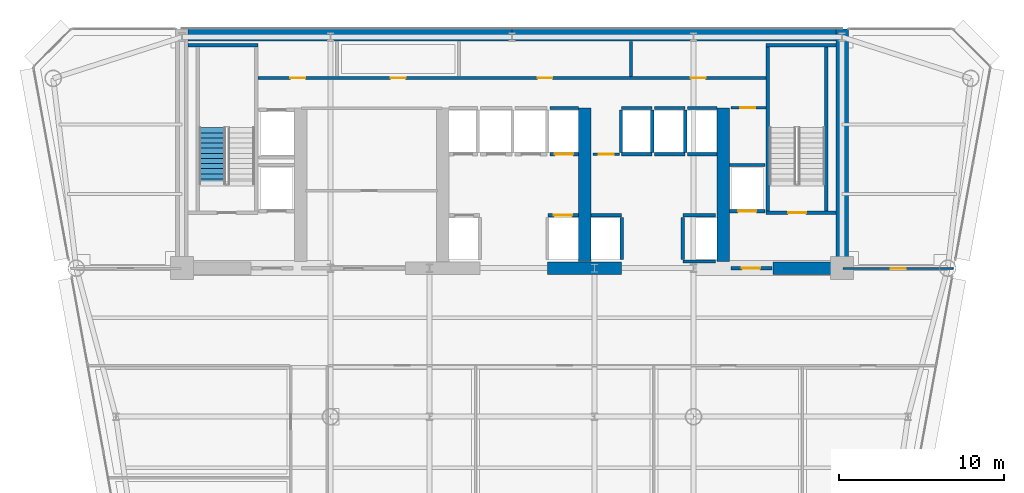
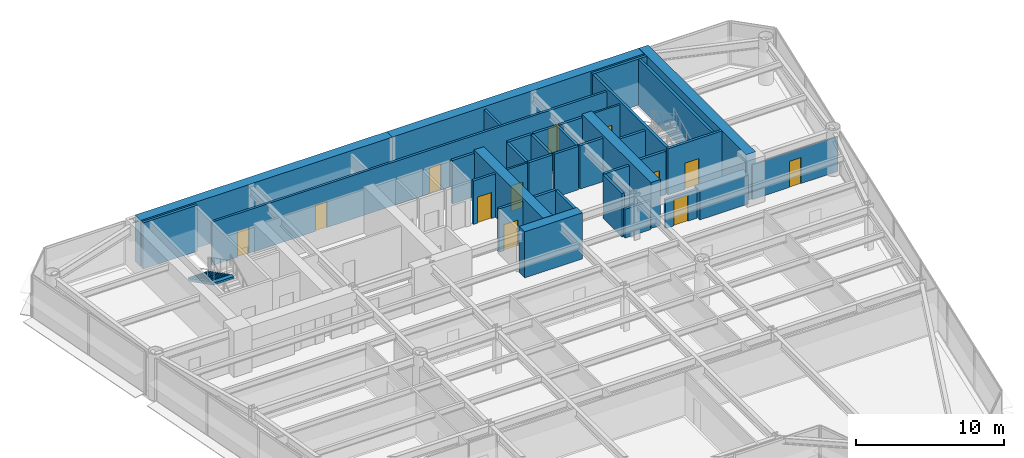
# One storey, part 9 of 14: 37 walls, 12 doors, 1 stair flight, 12 openings, 1 element without a shape of its own.
"""IFC4 building model written with IfcOpenShell, lengths in metres."""

from ifc_helpers import new_model, si_unit, direction, frame, frame_2d, origin, place, context, subcontext, project, spatial, polyline, rectangle, outline, extrude, source, transform, mapped, material, layer, layer_set, type_object, element, fill, aggregate, save


model = new_model("IFC4")

# Units and contexts
model_context = context("Model", 3, precision=1e-05, world=origin(), true_north=direction((0.0, 1.0)))
body_context = subcontext(model_context, "Body", "Model", "MODEL_VIEW")
ifc_project = project(units=[si_unit("LENGTHUNIT", "METRE"), si_unit("AREAUNIT", "SQUARE_METRE"), si_unit("VOLUMEUNIT", "CUBIC_METRE"), si_unit("PLANEANGLEUNIT", "RADIAN"), si_unit("MASSUNIT", "GRAM", prefix="KILO")], contexts=[model_context])

# Site, building, storey
site_placement = place(None, origin())
site = spatial("IfcSite", under=ifc_project, at=site_placement, CompositionType="ELEMENT")
building_placement = place(site_placement, origin())
building = spatial("IfcBuilding", under=site, at=building_placement, Name="Vaeldorn Concourse Tower", CompositionType="ELEMENT")
storey_placement = place(building_placement, frame((0.0, 0.0, 114.800048828125)))
storey = spatial("IfcBuildingStorey", under=building, at=storey_placement, Name="L29", CompositionType="ELEMENT", Elevation=114.800048828125)

# Walls
ifc_material_1 = material(Name="Concrete C60/75", Category="concrete")
ifc_layer_1 = layer(ifc_material_1, 0.75)
ifc_layer_set_1 = layer_set([ifc_layer_1], Name="Concrete C60/75")
wall_type_1 = type_object("IfcWallType", Name="WL-CORE-750", PredefinedType="SHEAR", material=ifc_layer_set_1)
for number, where, z_axis, x_axis, name in (
    (1, (14.37890625, 50.625, 0.0), (0.0, 0.0, 1.0), (1.0, 0.0, 0.0), "Rear Core Shear Wall L29 N1"),
    (2, (34.001953125, 50.625, 0.0), (0.0, 0.0, 1.0), (1.0, 0.0, 0.0), "Rear Core Shear Wall L29 N2"),
):
    element("IfcWall", number, at=place(storey_placement, frame(where, z_axis=z_axis, x_axis=x_axis)), inside=storey, type_object=wall_type_1, Name=name, PredefinedType="SHEAR", context=body_context, shape_type="SweptSolid", body=[
        extrude(rectangle(XDim=19.619140625, YDim=0.75, at=frame_2d((9.8095703125, 0.0))), origin(), (0.0, 0.0, 1.0), 3.800048828125),
    ])
wall_1_placement = place(storey_placement, frame((54.0, 36.5, 0.0), z_axis=(0.0, 0.0, 1.0), x_axis=(0.0, 1.0, 0.0)))
element("IfcWall", 3, at=wall_1_placement, inside=storey, type_object=wall_type_1, Name="Rear Core Shear Wall L29 E1", PredefinedType="SHEAR", context=body_context, shape_type="SweptSolid", body=[
    extrude(rectangle(XDim=14.5, YDim=0.75, at=frame_2d((7.25, 0.0))), origin(), (0.0, 0.0, 1.0), 3.800048828125),
])
wall_2_placement = place(storey_placement, frame((36.14990234375, 36.5, 0.0), z_axis=(0.0, 0.0, 1.0), x_axis=(1.0, 0.0, 0.0)))
element("IfcWall", 4, at=wall_2_placement, inside=storey, type_object=wall_type_1, Name="Rear Core Shear Wall L29 S3", PredefinedType="SHEAR", context=body_context, shape_type="SweptSolid", body=[
    extrude(rectangle(XDim=4.5, YDim=0.75, at=frame_2d((2.25, 0.0))), origin(), (0.0, 0.0, 1.0), 3.800048828125),
])
wall_3_placement = place(storey_placement, frame((49.800048828125, 36.5, 0.0), z_axis=(0.0, 0.0, 1.0), x_axis=(1.0, 0.0, 0.0)))
element("IfcWall", 5, at=wall_3_placement, inside=storey, type_object=wall_type_1, Name="Rear Core Shear Wall L29 S4", PredefinedType="SHEAR", context=body_context, shape_type="SweptSolid", body=[
    extrude(rectangle(XDim=3.804931640625, YDim=0.75, at=frame_2d((1.90234375, 0.0))), origin(), (0.0, 0.0, 1.0), 2.3798828125),
])
for number, where, z_axis, x_axis, name in (
    (6, (38.39990234375, 36.89501953125, 0.0), (0.0, 0.0, 1.0), (0.0, 1.0, 0.0), "Rear Core Shear Wall L29 M3"),
    (7, (46.800048828125, 36.89501953125, 0.0), (0.0, 0.0, 1.0), (0.0, 1.0, 0.0), "Rear Core Shear Wall L29 M4"),
):
    element("IfcWall", number, at=place(storey_placement, frame(where, z_axis=z_axis, x_axis=x_axis)), inside=storey, type_object=wall_type_1, Name=name, PredefinedType="SHEAR", context=body_context, shape_type="SweptSolid", body=[
        extrude(rectangle(XDim=9.304931640625, YDim=0.75, at=frame_2d((4.65234375, 0.0))), origin(), (0.0, 0.0, 1.0), 3.800048828125),
    ])

# Wall, opening, door
ifc_material_2 = material(Name="Gypsum Board Partition", Category="gypsum")
ifc_layer_2 = layer(ifc_material_2, 0.1201171875)
ifc_layer_set_2 = layer_set([ifc_layer_2], Name="Gypsum Board Partition")
wall_type_2 = type_object("IfcWallType", Name="WL-PART-120", PredefinedType="PARTITIONING", material=ifc_layer_set_2)
wall_4_placement = place(storey_placement, frame((54.06005859375, 36.47998046875, 0.0), z_axis=(0.0, 0.0, 1.0), x_axis=(1.0, 0.0, 0.0)))
wall_4 = element("IfcWall", 8, at=wall_4_placement, inside=storey, type_object=wall_type_2, Name="Interior Wall PW-L29-NES", PredefinedType="PARTITIONING", context=body_context, shape_type="SweptSolid", body=[
    extrude(rectangle(XDim=6.669677734375, YDim=0.1201171875, at=frame_2d((3.3349609375, 0.0))), origin(), (0.0, 0.0, 1.0), 2.869873046875),
])
opening_1_placement = place(wall_4_placement, frame((2.885009765625, 0.0, 0.0)))
opening_1 = element("IfcOpeningElement", 9, at=opening_1_placement, cuts=wall_4, Name="Opening D-03", PredefinedType="OPENING", context=body_context, shape_type="SweptSolid", body=[
    extrude(rectangle(XDim=0.89990234375, YDim=2.14990234375, at=frame_2d((0.449951171875, 1.074951171875))), frame((0.0, 0.070068359375, 0.0), z_axis=(0.0, -1.0, 0.0), x_axis=(1.0, 0.0, 0.0)), (0.0, 0.0, 1.0), 0.14013671875),
])
ifc_material_3 = material(Name="Acoustic Bronze-Framed Glass Door", Category="glass")
door_type_1 = type_object("IfcDoorType", Name="DR-INT-900", OperationType="NOTDEFINED", PredefinedType="DOOR", material=ifc_material_3)
shared_shape_1 = source(origin(), body_context, "Body", "SweptSolid", [
    extrude(rectangle(XDim=0.89990234375, YDim=2.14990234375, at=frame_2d((0.449951171875, 1.074951171875))), frame((0.0, 0.02490234375, 0.0), z_axis=(0.0, -1.0, 0.0), x_axis=(1.0, 0.0, 0.0)), (0.0, 0.0, 1.0), 0.050048828125),
])
door_1_placement = place(opening_1_placement, origin())
door_1 = element("IfcDoor", 10, at=door_1_placement, inside=storey, type_object=door_type_1, Name="Interior Door DR-L29-NEC", OperationType="SINGLE_SWING_RIGHT", OverallHeight=2.14990234375, OverallWidth=0.89990234375, PredefinedType="DOOR", context=body_context, shape_type="MappedRepresentation", body=[
    mapped(shared_shape_1, transform((0.0, 0.0, 0.0), scale=1.0)),
])
fill(opening_1, door_1)

ifc_layer_3 = layer(ifc_material_2, 0.14990234375)
ifc_layer_set_3 = layer_set([ifc_layer_3], Name="Gypsum Board Partition")
wall_type_3 = type_object("IfcWallType", Name="WL-PART-150", PredefinedType="PARTITIONING", material=ifc_layer_set_3)
wall_5_placement = place(storey_placement, frame((47.280029296875, 46.219970703125, 0.0), z_axis=(0.0, 0.0, 1.0), x_axis=(1.0, 0.0, 0.0)))
wall_5 = element("IfcWall", 11, at=wall_5_placement, inside=storey, type_object=wall_type_3, Name="Interior Wall CW-L29-CRSE-N", PredefinedType="PARTITIONING", context=body_context, shape_type="SweptSolid", body=[
    extrude(rectangle(XDim=2.099853515625, YDim=0.14990234375, at=frame_2d((1.0498046875, 0.0))), origin(), (0.0, 0.0, 1.0), 3.579833984375),
])
opening_2_placement = place(wall_5_placement, frame((0.550048828125, 0.0, 0.0)))
opening_2 = element("IfcOpeningElement", 12, at=opening_2_placement, cuts=wall_5, Name="Opening D-02", PredefinedType="OPENING", context=body_context, shape_type="SweptSolid", body=[
    extrude(rectangle(XDim=0.89990234375, YDim=2.10009765625, at=frame_2d((0.449951171875, 1.050048828125))), frame((0.0, 0.0849609375, 0.0), z_axis=(0.0, -1.0, 0.0), x_axis=(1.0, 0.0, 0.0)), (0.0, 0.0, 1.0), 0.169921875),
])
ifc_material_4 = material(Name="Fire-Rated Timber Leaf", Category="wood")
door_type_2 = type_object("IfcDoorType", Name="DR-FD30-900", OperationType="NOTDEFINED", PredefinedType="DOOR", material=ifc_material_4)
shared_shape_2 = source(origin(), body_context, "Body", "SweptSolid", [
    extrude(rectangle(XDim=0.89990234375, YDim=2.10009765625, at=frame_2d((0.449951171875, 1.050048828125))), frame((0.0, 0.02490234375, 0.0), z_axis=(0.0, -1.0, 0.0), x_axis=(1.0, 0.0, 0.0)), (0.0, 0.0, 1.0), 0.050048828125),
])
door_2_placement = place(opening_2_placement, origin())
door_2 = element("IfcDoor", 13, at=door_2_placement, inside=storey, type_object=door_type_2, Name="Interior Door DR-L29-CRSE", OperationType="SINGLE_SWING_RIGHT", OverallHeight=2.10009765625, OverallWidth=0.89990234375, PredefinedType="DOOR", context=body_context, shape_type="MappedRepresentation", body=[
    mapped(shared_shape_2, transform((0.0, 0.0, 0.0), scale=1.0)),
])
fill(opening_2, door_2)

wall_6_placement = place(storey_placement, frame((38.919921875, 43.39990234375, 0.0), z_axis=(0.0, 0.0, 1.0), x_axis=(1.0, 0.0, 0.0)))
wall_6 = element("IfcWall", 14, at=wall_6_placement, inside=storey, type_object=wall_type_3, Name="Interior Wall CW-L29-CCLINK", PredefinedType="PARTITIONING", context=body_context, shape_type="SweptSolid", body=[
    extrude(rectangle(XDim=1.60009765625, YDim=0.14990234375, at=frame_2d((0.800048828125, 0.0))), origin(), (0.0, 0.0, 1.0), 3.579833984375),
])
opening_3_placement = place(wall_6_placement, frame((0.35009765625, 0.0, 0.0)))
opening_3 = element("IfcOpeningElement", 15, at=opening_3_placement, cuts=wall_6, Name="Opening D-02", PredefinedType="OPENING", context=body_context, shape_type="SweptSolid", body=[
    extrude(rectangle(XDim=0.89990234375, YDim=2.10009765625, at=frame_2d((0.449951171875, 1.050048828125))), frame((0.0, 0.0849609375, 0.0), z_axis=(0.0, -1.0, 0.0), x_axis=(1.0, 0.0, 0.0)), (0.0, 0.0, 1.0), 0.169921875),
])
door_3_placement = place(opening_3_placement, origin())
door_3 = element("IfcDoor", 16, at=door_3_placement, inside=storey, type_object=door_type_2, Name="Interior Door DR-L29-CCLINK", OperationType="SINGLE_SWING_LEFT", OverallHeight=2.10009765625, OverallWidth=0.89990234375, PredefinedType="DOOR", context=body_context, shape_type="MappedRepresentation", body=[
    mapped(shared_shape_2, transform((0.0, 0.0, 0.0), scale=1.0)),
])
fill(opening_3, door_3)

# Wall, openings, doors
ifc_layer_4 = layer(ifc_material_2, 0.179931640625)
ifc_layer_set_4 = layer_set([ifc_layer_4], Name="Gypsum Board Partition")
wall_type_4 = type_object("IfcWallType", Name="WL-PLUMB-180", PredefinedType="PLUMBINGWALL", material=ifc_layer_set_4)
wall_7_placement = place(storey_placement, frame((18.6201171875, 48.02001953125, 0.0), z_axis=(0.0, 0.0, 1.0), x_axis=(1.0, 0.0, 0.0)))
wall_7 = element("IfcWall", 17, at=wall_7_placement, inside=storey, type_object=wall_type_4, Name="Interior Wall CW-L29-NS0", PredefinedType="PLUMBINGWALL", context=body_context, shape_type="SweptSolid", body=[
    extrude(rectangle(XDim=30.759765625, YDim=0.179931640625, at=frame_2d((15.3798828125, 0.0))), origin(), (0.0, 0.0, 1.0), 3.579833984375),
])
opening_4_placement = place(wall_7_placement, frame((1.955078125, 0.0, 0.0)))
opening_4 = element("IfcOpeningElement", 18, at=opening_4_placement, cuts=wall_7, Name="Opening D-03", PredefinedType="OPENING", context=body_context, shape_type="SweptSolid", body=[
    extrude(rectangle(XDim=0.89990234375, YDim=2.14990234375, at=frame_2d((0.449951171875, 1.074951171875))), frame((0.0, 0.10009765625, 0.0), z_axis=(0.0, -1.0, 0.0), x_axis=(1.0, 0.0, 0.0)), (0.0, 0.0, 1.0), 0.199951171875),
])
opening_5_placement = place(wall_7_placement, frame((8.030029296875, 0.0, 0.0)))
opening_5 = element("IfcOpeningElement", 19, at=opening_5_placement, cuts=wall_7, Name="Opening D-03", PredefinedType="OPENING", context=body_context, shape_type="SweptSolid", body=[
    extrude(rectangle(XDim=0.89990234375, YDim=2.14990234375, at=frame_2d((0.449951171875, 1.074951171875))), frame((0.0, 0.10009765625, 0.0), z_axis=(0.0, -1.0, 0.0), x_axis=(1.0, 0.0, 0.0)), (0.0, 0.0, 1.0), 0.199951171875),
])
opening_6_placement = place(wall_7_placement, frame((16.929931640625, 0.0, 0.0)))
opening_6 = element("IfcOpeningElement", 20, at=opening_6_placement, cuts=wall_7, Name="Opening D-03", PredefinedType="OPENING", context=body_context, shape_type="SweptSolid", body=[
    extrude(rectangle(XDim=0.89990234375, YDim=2.14990234375, at=frame_2d((0.449951171875, 1.074951171875))), frame((0.0, 0.10009765625, 0.0), z_axis=(0.0, -1.0, 0.0), x_axis=(1.0, 0.0, 0.0)), (0.0, 0.0, 1.0), 0.199951171875),
])
opening_7_placement = place(wall_7_placement, frame((26.205078125, 0.0, 0.0)))
opening_7 = element("IfcOpeningElement", 21, at=opening_7_placement, cuts=wall_7, Name="Opening D-03", PredefinedType="OPENING", context=body_context, shape_type="SweptSolid", body=[
    extrude(rectangle(XDim=0.89990234375, YDim=2.14990234375, at=frame_2d((0.449951171875, 1.074951171875))), frame((0.0, 0.10009765625, 0.0), z_axis=(0.0, -1.0, 0.0), x_axis=(1.0, 0.0, 0.0)), (0.0, 0.0, 1.0), 0.199951171875),
])
door_4_placement = place(opening_4_placement, origin())
door_4 = element("IfcDoor", 22, at=door_4_placement, inside=storey, type_object=door_type_1, Name="Interior Door DR-L29-CS1", OperationType="SINGLE_SWING_LEFT", OverallHeight=2.14990234375, OverallWidth=0.89990234375, PredefinedType="DOOR", context=body_context, shape_type="MappedRepresentation", body=[
    mapped(shared_shape_1, transform((0.0, 0.0, 0.0), scale=1.0)),
])
fill(opening_4, door_4)
door_5_placement = place(opening_5_placement, origin())
door_5 = element("IfcDoor", 23, at=door_5_placement, inside=storey, type_object=door_type_1, Name="Interior Door DR-L29-CS2", OperationType="SINGLE_SWING_RIGHT", OverallHeight=2.14990234375, OverallWidth=0.89990234375, PredefinedType="DOOR", context=body_context, shape_type="MappedRepresentation", body=[
    mapped(shared_shape_1, transform((0.0, 0.0, 0.0), scale=1.0)),
])
fill(opening_5, door_5)
door_6_placement = place(opening_6_placement, origin())
door_6 = element("IfcDoor", 24, at=door_6_placement, inside=storey, type_object=door_type_1, Name="Interior Door DR-L29-CS3", OperationType="SINGLE_SWING_LEFT", OverallHeight=2.14990234375, OverallWidth=0.89990234375, PredefinedType="DOOR", context=body_context, shape_type="MappedRepresentation", body=[
    mapped(shared_shape_1, transform((0.0, 0.0, 0.0), scale=1.0)),
])
fill(opening_6, door_6)
door_7_placement = place(opening_7_placement, origin())
door_7 = element("IfcDoor", 25, at=door_7_placement, inside=storey, type_object=door_type_1, Name="Interior Door DR-L29-CS4", OperationType="SINGLE_SWING_RIGHT", OverallHeight=2.14990234375, OverallWidth=0.89990234375, PredefinedType="DOOR", context=body_context, shape_type="MappedRepresentation", body=[
    mapped(shared_shape_1, transform((0.0, 0.0, 0.0), scale=1.0)),
])
fill(opening_7, door_7)

# Walls
wall_8_placement = place(storey_placement, frame((41.199951171875, 48.10009765625, 0.0), z_axis=(0.0, 0.0, 1.0), x_axis=(0.0, 1.0, 0.0)))
element("IfcWall", 26, at=wall_8_placement, inside=storey, type_object=wall_type_4, Name="Interior Wall CW-L29-NDIV3", PredefinedType="PLUMBINGWALL", context=body_context, shape_type="SweptSolid", body=[
    extrude(rectangle(XDim=2.1298828125, YDim=0.179931640625, at=frame_2d((1.06494140625, 0.0))), origin(), (0.0, 0.0, 1.0), 3.579833984375),
])
ifc_material_5 = material(Name="Concrete C50/60", Category="concrete")
ifc_layer_5 = layer(ifc_material_5, 0.199951171875)
ifc_layer_set_5 = layer_set([ifc_layer_5], Name="Concrete C50/60")
wall_type_5 = type_object("IfcWallType", Name="WL-SHAFT-200", PredefinedType="SOLIDWALL", material=ifc_layer_set_5)
wall_9_placement = place(storey_placement, frame((14.375, 50.0, 0.0), z_axis=(0.0, 0.0, 1.0), x_axis=(1.0, 0.0, 0.0)))
element("IfcWall", 27, at=wall_9_placement, inside=storey, type_object=wall_type_5, Name="Stair Shaft Wall CW-L29-ST-1-N", PredefinedType="SOLIDWALL", context=body_context, shape_type="SweptSolid", body=[
    extrude(rectangle(XDim=4.22509765625, YDim=0.199951171875, at=frame_2d((2.112548828125, 0.0))), origin(), (0.0, 0.0, 1.0), 3.800048828125),
])

# Wall, opening, door
wall_10_placement = place(storey_placement, frame((49.39990234375, 39.85009765625, 0.0), z_axis=(0.0, 0.0, 1.0), x_axis=(1.0, 0.0, 0.0)))
wall_10 = element("IfcWall", 28, at=wall_10_placement, inside=storey, type_object=wall_type_5, Name="Stair Shaft Wall CW-L29-ST-2-S", PredefinedType="SOLIDWALL", context=body_context, shape_type="SweptSolid", body=[
    extrude(rectangle(XDim=4.22509765625, YDim=0.199951171875, at=frame_2d((2.112548828125, 0.0))), origin(), (0.0, 0.0, 1.0), 3.800048828125),
])
opening_8_placement = place(wall_10_placement, frame((1.324951171875, 0.0, 0.0)))
opening_8 = element("IfcOpeningElement", 29, at=opening_8_placement, cuts=wall_10, Name="Opening D-01", PredefinedType="OPENING", context=body_context, shape_type="SweptSolid", body=[
    extrude(rectangle(XDim=1.10009765625, YDim=2.14990234375, at=frame_2d((0.550048828125, 1.074951171875))), frame((0.0, 0.10986328125, 0.0), z_axis=(0.0, -1.0, 0.0), x_axis=(1.0, 0.0, 0.0)), (0.0, 0.0, 1.0), 0.219970703125),
])
ifc_material_6 = material(Name="Fire-Rated Timber and Steel Leaf", Category="steel")
door_type_3 = type_object("IfcDoorType", Name="DR-FD60-1100", OperationType="NOTDEFINED", PredefinedType="DOOR", material=ifc_material_6)
shared_shape_3 = source(origin(), body_context, "Body", "SweptSolid", [
    extrude(rectangle(XDim=1.10009765625, YDim=2.14990234375, at=frame_2d((0.550048828125, 1.074951171875))), frame((0.0, 0.02490234375, 0.0), z_axis=(0.0, -1.0, 0.0), x_axis=(1.0, 0.0, 0.0)), (0.0, 0.0, 1.0), 0.050048828125),
])
door_8_placement = place(opening_8_placement, origin())
door_8 = element("IfcDoor", 30, at=door_8_placement, inside=storey, type_object=door_type_3, Name="Interior Door DR-L29-ST-2", OperationType="SINGLE_SWING_RIGHT", OverallHeight=2.14990234375, OverallWidth=1.10009765625, PredefinedType="DOOR", context=body_context, shape_type="MappedRepresentation", body=[
    mapped(shared_shape_3, transform((0.0, 0.0, 0.0), scale=1.0)),
])
fill(opening_8, door_8)

# Walls
wall_11_placement = place(storey_placement, frame((49.39990234375, 50.0, 0.0), z_axis=(0.0, 0.0, 1.0), x_axis=(1.0, 0.0, 0.0)))
element("IfcWall", 31, at=wall_11_placement, inside=storey, type_object=wall_type_5, Name="Stair Shaft Wall CW-L29-ST-2-N", PredefinedType="SOLIDWALL", context=body_context, shape_type="SweptSolid", body=[
    extrude(rectangle(XDim=4.22509765625, YDim=0.199951171875, at=frame_2d((2.112548828125, 0.0))), origin(), (0.0, 0.0, 1.0), 3.800048828125),
])
for number, where, z_axis, x_axis, name in (
    (32, (49.5, 39.9599609375, 0.0), (0.0, 0.0, 1.0), (0.0, 1.0, 0.0), "Stair Shaft Wall CW-L29-ST-2-W"),
    (33, (53.050048828125, 39.9599609375, 0.0), (0.0, 0.0, 1.0), (0.0, 1.0, 0.0), "Stair Shaft Wall CW-L29-ST-2-E"),
):
    element("IfcWall", number, at=place(storey_placement, frame(where, z_axis=z_axis, x_axis=x_axis)), inside=storey, type_object=wall_type_5, Name=name, PredefinedType="SOLIDWALL", context=body_context, shape_type="SweptSolid", body=[
        extrude(rectangle(XDim=9.929931640625, YDim=0.199951171875, at=frame_2d((4.96484375, 0.0))), origin(), (0.0, 0.0, 1.0), 3.800048828125),
    ])

# Wall, opening, door
wall_12_placement = place(storey_placement, frame((47.280029296875, 36.5, 0.0), z_axis=(0.0, 0.0, 1.0), x_axis=(1.0, 0.0, 0.0)))
wall_12 = element("IfcWall", 34, at=wall_12_placement, inside=storey, type_object=wall_type_5, Name="Interior Wall CW-L29-FF2S", PredefinedType="SOLIDWALL", context=body_context, shape_type="SweptSolid", body=[
    extrude(rectangle(XDim=2.469970703125, YDim=0.199951171875, at=frame_2d((1.23486328125, 0.0))), origin(), (0.0, 0.0, 1.0), 2.369873046875),
])
opening_9_placement = place(wall_12_placement, frame((0.64990234375, 0.0, 0.0)))
opening_9 = element("IfcOpeningElement", 35, at=opening_9_placement, cuts=wall_12, Name="Opening D-01", PredefinedType="OPENING", context=body_context, shape_type="SweptSolid", body=[
    extrude(rectangle(XDim=1.10009765625, YDim=2.14990234375, at=frame_2d((0.550048828125, 1.074951171875))), frame((0.0, 0.10986328125, 0.0), z_axis=(0.0, -1.0, 0.0), x_axis=(1.0, 0.0, 0.0)), (0.0, 0.0, 1.0), 0.219970703125),
])
door_9_placement = place(opening_9_placement, origin())
door_9 = element("IfcDoor", 36, at=door_9_placement, inside=storey, type_object=door_type_3, Name="Interior Door DR-L29-FF2W", OperationType="SINGLE_SWING_LEFT", OverallHeight=2.14990234375, OverallWidth=1.10009765625, PredefinedType="DOOR", context=body_context, shape_type="MappedRepresentation", body=[
    mapped(shared_shape_3, transform((0.0, 0.0, 0.0), scale=1.0)),
])
fill(opening_9, door_9)

wall_13_placement = place(storey_placement, frame((36.169921875, 39.699951171875, 0.0), z_axis=(0.0, 0.0, 1.0), x_axis=(1.0, 0.0, 0.0)))
wall_13 = element("IfcWall", 37, at=wall_13_placement, inside=storey, type_object=wall_type_5, Name="Interior Wall CW-L29-LF-LF-08", PredefinedType="SOLIDWALL", context=body_context, shape_type="SweptSolid", body=[
    extrude(rectangle(XDim=1.844970703125, YDim=0.199951171875, at=frame_2d((0.92236328125, 0.0))), origin(), (0.0, 0.0, 1.0), 3.579833984375),
])
opening_10_placement = place(wall_13_placement, frame((0.3720703125, 0.0, 0.0)))
opening_10 = element("IfcOpeningElement", 38, at=opening_10_placement, cuts=wall_13, Name="Opening LD-1", PredefinedType="OPENING", context=body_context, shape_type="SweptSolid", body=[
    extrude(rectangle(XDim=1.10009765625, YDim=2.14990234375, at=frame_2d((0.550048828125, 1.074951171875))), frame((0.0, 0.10986328125, 0.0), z_axis=(0.0, -1.0, 0.0), x_axis=(1.0, 0.0, 0.0)), (0.0, 0.0, 1.0), 0.219970703125),
])
ifc_material_7 = material(Name="Anodised Bronze Aluminium", Category="aluminium")
door_type_4 = type_object("IfcDoorType", Name="DR-LIFT-SLIDE-1100", OperationType="DOUBLE_DOOR_SLIDING", PredefinedType="DOOR", material=ifc_material_7)
door_10_placement = place(opening_10_placement, origin())
door_10 = element("IfcDoor", 39, at=door_10_placement, inside=storey, type_object=door_type_4, Name="Lift Landing Door LD-L29-LF-08", OperationType="DOUBLE_DOOR_SLIDING", OverallHeight=2.14990234375, OverallWidth=1.10009765625, PredefinedType="DOOR", context=body_context, shape_type="MappedRepresentation", body=[
    mapped(shared_shape_3, transform((0.0, 0.0, 0.0), scale=1.0)),
])
fill(opening_10, door_10)

wall_14_placement = place(storey_placement, frame((36.2900390625, 43.39990234375, 0.0), z_axis=(0.0, 0.0, 1.0), x_axis=(1.0, 0.0, 0.0)))
wall_14 = element("IfcWall", 40, at=wall_14_placement, inside=storey, type_object=wall_type_5, Name="Interior Wall CW-L29-LF-LF-12", PredefinedType="SOLIDWALL", context=body_context, shape_type="SweptSolid", body=[
    extrude(rectangle(XDim=1.724853515625, YDim=0.199951171875, at=frame_2d((0.8623046875, 0.0))), origin(), (0.0, 0.0, 1.0), 3.579833984375),
])
opening_11_placement = place(wall_14_placement, frame((0.31298828125, 0.0, 0.0)))
opening_11 = element("IfcOpeningElement", 41, at=opening_11_placement, cuts=wall_14, Name="Opening LD-1", PredefinedType="OPENING", context=body_context, shape_type="SweptSolid", body=[
    extrude(rectangle(XDim=1.10009765625, YDim=2.14990234375, at=frame_2d((0.550048828125, 1.074951171875))), frame((0.0, 0.10986328125, 0.0), z_axis=(0.0, -1.0, 0.0), x_axis=(1.0, 0.0, 0.0)), (0.0, 0.0, 1.0), 0.219970703125),
])
door_11_placement = place(opening_11_placement, origin())
door_11 = element("IfcDoor", 42, at=door_11_placement, inside=storey, type_object=door_type_4, Name="Lift Landing Door LD-L29-LF-12", OperationType="DOUBLE_DOOR_SLIDING", OverallHeight=2.14990234375, OverallWidth=1.10009765625, PredefinedType="DOOR", context=body_context, shape_type="MappedRepresentation", body=[
    mapped(shared_shape_3, transform((0.0, 0.0, 0.0), scale=1.0)),
])
fill(opening_11, door_11)

# Walls
wall_15_placement = place(storey_placement, frame((36.2900390625, 46.199951171875, 0.0), z_axis=(0.0, 0.0, 1.0), x_axis=(1.0, 0.0, 0.0)))
element("IfcWall", 43, at=wall_15_placement, inside=storey, type_object=wall_type_5, Name="Interior Wall CW-L29-LFB-LF-12", PredefinedType="SOLIDWALL", context=body_context, shape_type="SweptSolid", body=[
    extrude(rectangle(XDim=1.724853515625, YDim=0.199951171875, at=frame_2d((0.8623046875, 0.0))), origin(), (0.0, 0.0, 1.0), 3.579833984375),
])
wall_16_placement = place(storey_placement, frame((38.784912109375, 39.699951171875, 0.0), z_axis=(0.0, 0.0, 1.0), x_axis=(1.0, 0.0, 0.0)))
element("IfcWall", 44, at=wall_16_placement, inside=storey, type_object=wall_type_5, Name="Interior Wall CW-L29-LF-LF-13", PredefinedType="SOLIDWALL", context=body_context, shape_type="SweptSolid", body=[
    extrude(rectangle(XDim=1.844970703125, YDim=0.199951171875, at=frame_2d((0.92236328125, 0.0))), origin(), (0.0, 0.0, 1.0), 3.579833984375),
])
wall_17_placement = place(storey_placement, frame((40.64990234375, 37.02001953125, 0.0), z_axis=(0.0, 0.0, 1.0), x_axis=(0.0, 1.0, 0.0)))
element("IfcWall", 45, at=wall_17_placement, inside=storey, type_object=wall_type_5, Name="Interior Wall CW-L29-LFE-LF-13", PredefinedType="SOLIDWALL", context=body_context, shape_type="SweptSolid", body=[
    extrude(rectangle(XDim=2.56005859375, YDim=0.199951171875, at=frame_2d((1.280029296875, 0.0))), origin(), (0.0, 0.0, 1.0), 3.579833984375),
])
wall_18_placement = place(storey_placement, frame((44.3701171875, 39.699951171875, 0.0), z_axis=(0.0, 0.0, 1.0), x_axis=(1.0, 0.0, 0.0)))
element("IfcWall", 46, at=wall_18_placement, inside=storey, type_object=wall_type_5, Name="Interior Wall CW-L29-LF-LF-14", PredefinedType="SOLIDWALL", context=body_context, shape_type="SweptSolid", body=[
    extrude(rectangle(XDim=1.9599609375, YDim=0.199951171875, at=frame_2d((0.97998046875, 0.0))), origin(), (0.0, 0.0, 1.0), 3.579833984375),
])
wall_19_placement = place(storey_placement, frame((44.3701171875, 36.89990234375, 0.0), z_axis=(0.0, 0.0, 1.0), x_axis=(1.0, 0.0, 0.0)))
element("IfcWall", 47, at=wall_19_placement, inside=storey, type_object=wall_type_5, Name="Interior Wall CW-L29-LFB-LF-14", PredefinedType="SOLIDWALL", context=body_context, shape_type="SweptSolid", body=[
    extrude(rectangle(XDim=1.9599609375, YDim=0.199951171875, at=frame_2d((0.97998046875, 0.0))), origin(), (0.0, 0.0, 1.0), 2.369873046875),
])
wall_20_placement = place(storey_placement, frame((44.35009765625, 37.02001953125, 0.0), z_axis=(0.0, 0.0, 1.0), x_axis=(0.0, 1.0, 0.0)))
element("IfcWall", 48, at=wall_20_placement, inside=storey, type_object=wall_type_5, Name="Interior Wall CW-L29-LFW-LF-14", PredefinedType="SOLIDWALL", context=body_context, shape_type="SweptSolid", body=[
    extrude(rectangle(XDim=2.56005859375, YDim=0.199951171875, at=frame_2d((1.280029296875, 0.0))), origin(), (0.0, 0.0, 1.0), 3.579833984375),
])
for number, where, z_axis, x_axis, name in (
    (49, (40.6201171875, 43.39990234375, 0.0), (0.0, 0.0, 1.0), (1.0, 0.0, 0.0), "Interior Wall CW-L29-LF-LF-15"),
    (50, (40.6201171875, 46.199951171875, 0.0), (0.0, 0.0, 1.0), (1.0, 0.0, 0.0), "Interior Wall CW-L29-LFB-LF-15"),
):
    element("IfcWall", number, at=place(storey_placement, frame(where, z_axis=z_axis, x_axis=x_axis)), inside=storey, type_object=wall_type_5, Name=name, PredefinedType="SOLIDWALL", context=body_context, shape_type="SweptSolid", body=[
        extrude(rectangle(XDim=1.85986328125, YDim=0.199951171875, at=frame_2d((0.929931640625, 0.0))), origin(), (0.0, 0.0, 1.0), 3.579833984375),
    ])
for number, where, z_axis, x_axis, name in (
    (51, (40.60009765625, 43.52001953125, 0.0), (0.0, 0.0, 1.0), (0.0, 1.0, 0.0), "Interior Wall CW-L29-LFW-LF-15"),
    (52, (42.5, 43.52001953125, 0.0), (0.0, 0.0, 1.0), (0.0, 1.0, 0.0), "Interior Wall CW-L29-LFE-LF-15"),
):
    element("IfcWall", number, at=place(storey_placement, frame(where, z_axis=z_axis, x_axis=x_axis)), inside=storey, type_object=wall_type_5, Name=name, PredefinedType="SOLIDWALL", context=body_context, shape_type="SweptSolid", body=[
        extrude(rectangle(XDim=2.56005859375, YDim=0.199951171875, at=frame_2d((1.280029296875, 0.0))), origin(), (0.0, 0.0, 1.0), 3.579833984375),
    ])
for number, where, z_axis, x_axis, name in (
    (53, (42.6201171875, 43.39990234375, 0.0), (0.0, 0.0, 1.0), (1.0, 0.0, 0.0), "Interior Wall CW-L29-LF-LF-16"),
    (54, (42.6201171875, 46.199951171875, 0.0), (0.0, 0.0, 1.0), (1.0, 0.0, 0.0), "Interior Wall CW-L29-LFB-LF-16"),
):
    element("IfcWall", number, at=place(storey_placement, frame(where, z_axis=z_axis, x_axis=x_axis)), inside=storey, type_object=wall_type_5, Name=name, PredefinedType="SOLIDWALL", context=body_context, shape_type="SweptSolid", body=[
        extrude(rectangle(XDim=1.85986328125, YDim=0.199951171875, at=frame_2d((0.929931640625, 0.0))), origin(), (0.0, 0.0, 1.0), 3.579833984375),
    ])
wall_21_placement = place(storey_placement, frame((44.5, 43.52001953125, 0.0), z_axis=(0.0, 0.0, 1.0), x_axis=(0.0, 1.0, 0.0)))
element("IfcWall", 55, at=wall_21_placement, inside=storey, type_object=wall_type_5, Name="Interior Wall CW-L29-LFE-LF-16", PredefinedType="SOLIDWALL", context=body_context, shape_type="SweptSolid", body=[
    extrude(rectangle(XDim=2.56005859375, YDim=0.199951171875, at=frame_2d((1.280029296875, 0.0))), origin(), (0.0, 0.0, 1.0), 3.579833984375),
])
for number, where, z_axis, x_axis, name in (
    (56, (44.6201171875, 43.39990234375, 0.0), (0.0, 0.0, 1.0), (1.0, 0.0, 0.0), "Interior Wall CW-L29-LF-LF-17"),
    (57, (44.6201171875, 46.199951171875, 0.0), (0.0, 0.0, 1.0), (1.0, 0.0, 0.0), "Interior Wall CW-L29-LFB-LF-17"),
):
    element("IfcWall", number, at=place(storey_placement, frame(where, z_axis=z_axis, x_axis=x_axis)), inside=storey, type_object=wall_type_5, Name=name, PredefinedType="SOLIDWALL", context=body_context, shape_type="SweptSolid", body=[
        extrude(rectangle(XDim=1.794921875, YDim=0.199951171875, at=frame_2d((0.8974609375, 0.0))), origin(), (0.0, 0.0, 1.0), 3.579833984375),
    ])

# Wall, opening, door
wall_22_placement = place(storey_placement, frame((47.18505859375, 39.949951171875, 0.0), z_axis=(0.0, 0.0, 1.0), x_axis=(1.0, 0.0, 0.0)))
wall_22 = element("IfcWall", 58, at=wall_22_placement, inside=storey, type_object=wall_type_5, Name="Interior Wall CW-L29-LF-LF-FF2", PredefinedType="SOLIDWALL", context=body_context, shape_type="SweptSolid", body=[
    extrude(rectangle(XDim=2.14501953125, YDim=0.199951171875, at=frame_2d((1.072509765625, 0.0))), origin(), (0.0, 0.0, 1.0), 3.579833984375),
])
opening_12_placement = place(wall_22_placement, frame((0.52197265625, 0.0, 0.0)))
opening_12 = element("IfcOpeningElement", 59, at=opening_12_placement, cuts=wall_22, Name="Opening LD-1", PredefinedType="OPENING", context=body_context, shape_type="SweptSolid", body=[
    extrude(rectangle(XDim=1.10009765625, YDim=2.14990234375, at=frame_2d((0.550048828125, 1.074951171875))), frame((0.0, 0.10986328125, 0.0), z_axis=(0.0, -1.0, 0.0), x_axis=(1.0, 0.0, 0.0)), (0.0, 0.0, 1.0), 0.219970703125),
])
door_12_placement = place(opening_12_placement, origin())
door_12 = element("IfcDoor", 60, at=door_12_placement, inside=storey, type_object=door_type_4, Name="Lift Landing Door LD-L29-LF-FF2", OperationType="DOUBLE_DOOR_SLIDING", OverallHeight=2.14990234375, OverallWidth=1.10009765625, PredefinedType="DOOR", context=body_context, shape_type="MappedRepresentation", body=[
    mapped(shared_shape_3, transform((0.0, 0.0, 0.0), scale=1.0)),
])
fill(opening_12, door_12)

# Wall
wall_23_placement = place(storey_placement, frame((47.18505859375, 42.75, 0.0), z_axis=(0.0, 0.0, 1.0), x_axis=(1.0, 0.0, 0.0)))
element("IfcWall", 61, at=wall_23_placement, inside=storey, type_object=wall_type_5, Name="Interior Wall CW-L29-LFB-LF-FF2", PredefinedType="SOLIDWALL", context=body_context, shape_type="SweptSolid", body=[
    extrude(rectangle(XDim=2.14501953125, YDim=0.199951171875, at=frame_2d((1.072509765625, 0.0))), origin(), (0.0, 0.0, 1.0), 3.579833984375),
])

# Stair, stair flight
ifc_material_8 = material(Name="Precast concrete C40/50", Category="concrete")
stair_type = type_object("IfcStairType", Name="STR-DOG-24x158", PredefinedType="HALF_TURN_STAIR", material=ifc_material_8)
stair_placement = place(storey_placement, origin())
stair = element("IfcStair", 62, at=stair_placement, inside=storey, type_object=stair_type, Name="L29 West Core Exit Stair ST-1", PredefinedType="HALF_TURN_STAIR")
stair_flight_type = type_object("IfcStairFlightType", Name="STF-STR-12x158", PredefinedType="STRAIGHT", material=ifc_material_8)
stair_flight_placement = place(storey_placement, frame((15.85009765625, 45.010009765625, 1.89990234375), z_axis=(0.0, 0.0, 1.0), x_axis=(0.0, -1.0, 0.0)))
stair_flight = element("IfcStairFlight", 63, at=stair_flight_placement, type_object=stair_flight_type, Name="ST-1 flight 2", NumberOfRisers=12, NumberOfTreads=11, PredefinedType="STRAIGHT", RiserHeight=0.158333333, TreadLength=0.31, context=body_context, shape_type="SweptSolid", body=[
    extrude(outline(polyline([(0.0, 0.0), (0.0, 0.158447265625), (0.31005859375, 0.158447265625), (0.31005859375, 0.316650390625), (0.6201171875, 0.316650390625), (0.6201171875, 0.47509765625), (0.929931640625, 0.47509765625), (0.929931640625, 0.63330078125), (1.239990234375, 0.63330078125), (1.239990234375, 0.791748046875), (1.550048828125, 0.791748046875), (1.550048828125, 0.949951171875), (1.860107421875, 0.949951171875), (1.860107421875, 1.1083984375), (2.169921875, 1.1083984375), (2.169921875, 1.2666015625), (2.47998046875, 1.2666015625), (2.47998046875, 1.425048828125), (2.7900390625, 1.425048828125), (2.7900390625, 1.583251953125), (3.10009765625, 1.583251953125), (3.10009765625, 1.74169921875), (3.409912109375, 1.74169921875), (3.409912109375, 1.89990234375), (3.409912109375, 1.5732421875), (0.32958984375, 0.0), (0.0, 0.0)])), frame((0.0, 0.800048828125, 0.0), z_axis=(0.0, -1.0, 0.0), x_axis=(1.0, 0.0, 0.0)), (0.0, 0.0, 1.0), 1.60009765625),
])
aggregate(stair, [stair_flight])

save(model, "model.ifc")
